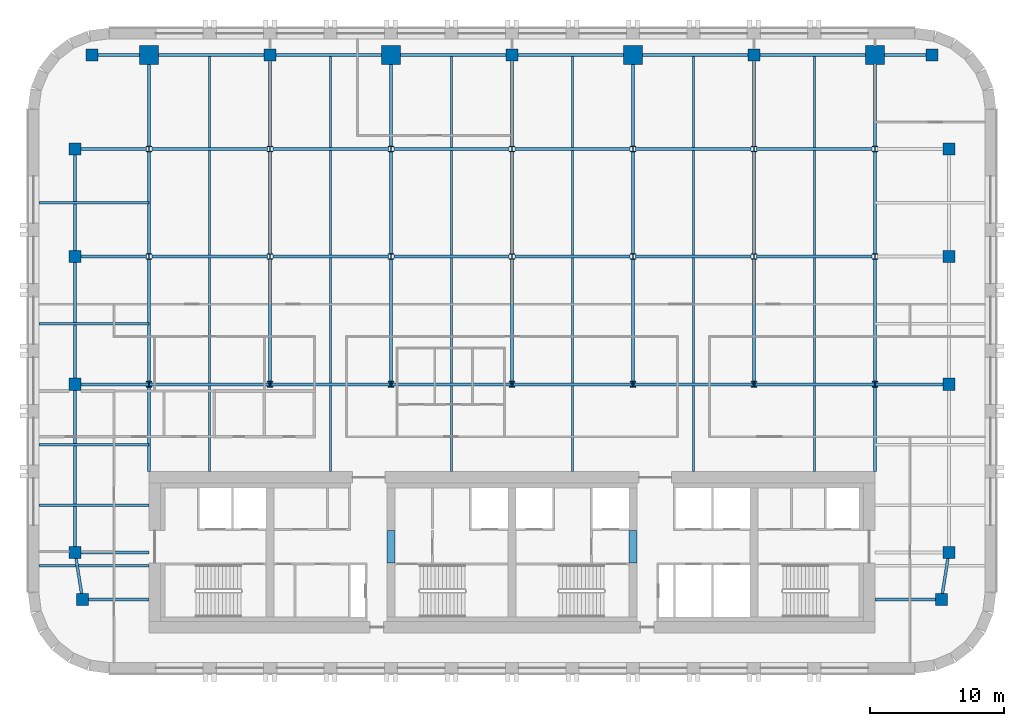
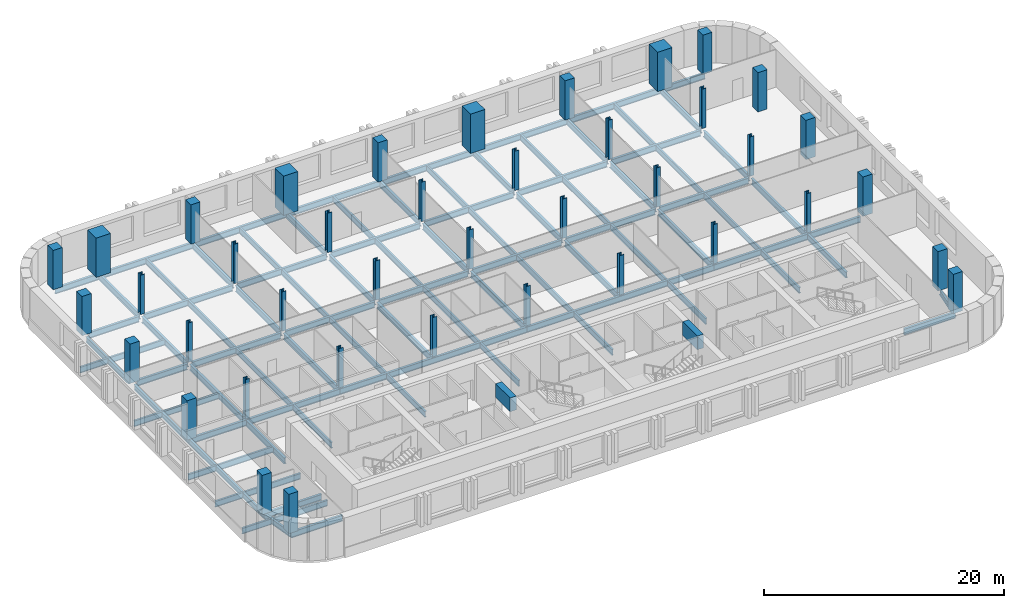
# One storey, part 1 of 10: 64 beams, 40 columns.
"""IFC4 building model written with IfcOpenShell, lengths in metres."""

from ifc_helpers import new_model, si_unit, direction, frame, origin, origin_2d, place, context, subcontext, project, spatial, rectangle, i_section, extrude, material, material_profile, profile_set, type_object, element, save


model = new_model("IFC4")

# Units and contexts
model_context = context("Model", 3, precision=1e-05, world=origin(), true_north=direction((0.0, 1.0)))
body_context = subcontext(model_context, "Body", "Model", "MODEL_VIEW")
ifc_project = project(units=[si_unit("LENGTHUNIT", "METRE"), si_unit("AREAUNIT", "SQUARE_METRE"), si_unit("VOLUMEUNIT", "CUBIC_METRE"), si_unit("PLANEANGLEUNIT", "RADIAN"), si_unit("MASSUNIT", "GRAM", prefix="KILO")], contexts=[model_context])

# Site, building, storey
site_placement = place(None, origin())
site = spatial("IfcSite", under=ifc_project, at=site_placement, CompositionType="ELEMENT")
building_placement = place(site_placement, origin())
building = spatial("IfcBuilding", under=site, at=building_placement, Name="Zellij Exchange Tower", CompositionType="ELEMENT")
storey_placement = place(building_placement, frame((0.0, 0.0, 192.5)))
storey = spatial("IfcBuildingStorey", under=building, at=storey_placement, Name="L44", CompositionType="ELEMENT", Elevation=192.5)

# Columns
ifc_material_1 = material(Name="Concrete C60/75", Category="concrete")
ifc_material_profile_1 = material_profile(ifc_material_1, rectangle(XDim=0.89990234375, YDim=0.89990234375, at=origin_2d()), Name="STR-COLUMN RC900x900 C60/75")
ifc_profile_set_1 = profile_set([ifc_material_profile_1], Name="Concrete C60/75")
column_type_1 = type_object("IfcColumnType", Name="STR-COLUMN RC900x900 C60/75", PredefinedType="COLUMN", material=ifc_profile_set_1)
for number, where, z_axis, x_axis, name in (
    (1, (-31.949951171875, -11.5, 0.0), (0.0, 0.0, 1.0), (1.0, 0.0, 0.0), "C16"),
    (2, (31.949951171875, -11.5, 0.0), (0.0, 0.0, 1.0), (1.0, 0.0, 0.0), "C16"),
    (3, (-32.5, -8.0, 0.0), (0.0, 0.0, 1.0), (1.0, 0.0, 0.0), "C16"),
    (4, (32.5, -8.0, 0.0), (0.0, 0.0, 1.0), (1.0, 0.0, 0.0), "C16"),
    (5, (-32.5, 4.5, 0.0), (0.0, 0.0, 1.0), (1.0, 0.0, 0.0), "C16"),
    (6, (32.5, 4.5, 0.0), (0.0, 0.0, 1.0), (1.0, 0.0, 0.0), "C16"),
    (7, (-32.5, 14.0, 0.0), (0.0, 0.0, 1.0), (1.0, 0.0, 0.0), "C16"),
    (8, (32.5, 14.0, 0.0), (0.0, 0.0, 1.0), (1.0, 0.0, 0.0), "C16"),
    (9, (-32.5, 22.0, 0.0), (0.0, 0.0, 1.0), (1.0, 0.0, 0.0), "C16"),
    (10, (32.5, 22.0, 0.0), (0.0, 0.0, 1.0), (1.0, 0.0, 0.0), "C16"),
    (11, (-31.25, 29.0, 0.0), (0.0, 0.0, 1.0), (1.0, 0.0, 0.0), "C16"),
    (12, (-18.0, 29.0, 0.0), (0.0, 0.0, 1.0), (1.0, 0.0, 0.0), "C16"),
    (13, (0.0, 29.0, 0.0), (0.0, 0.0, 1.0), (1.0, 0.0, 0.0), "C16"),
    (14, (18.0, 29.0, 0.0), (0.0, 0.0, 1.0), (1.0, 0.0, 0.0), "C16"),
    (15, (31.25, 29.0, 0.0), (0.0, 0.0, 1.0), (1.0, 0.0, 0.0), "C16"),
):
    element("IfcColumn", number, at=place(storey_placement, frame(where, z_axis=z_axis, x_axis=x_axis)), inside=storey, type_object=column_type_1, Name=name, PredefinedType="COLUMN", context=body_context, shape_type="SweptSolid", body=[
        extrude(rectangle(XDim=0.89990234375, YDim=0.89990234375, at=origin_2d()), origin(), (0.0, 0.0, 1.0), 4.0),
    ])
ifc_material_2 = material(Name="Structural steel ASTM A913 Gr 65", Category="steel")
ifc_material_profile_2 = material_profile(ifc_material_2, i_section(OverallWidth=0.408935546875, OverallDepth=0.424072265625, WebThickness=0.03271484375, FlangeThickness=0.052490234375, at=origin_2d()), Name="W14x283")
ifc_profile_set_2 = profile_set([ifc_material_profile_2], Name="Structural steel ASTM A913 Gr 65")
column_type_2 = type_object("IfcColumnType", Name="STR-COLUMN W14x283", PredefinedType="COLUMN", material=ifc_profile_set_2)
for number, where, z_axis, x_axis, name in (
    (16, (-27.0, 4.5, 0.0), (0.0, 0.0, 1.0), (1.0, 0.0, 0.0), "C3"),
    (17, (-18.0, 4.5, 0.0), (0.0, 0.0, 1.0), (1.0, 0.0, 0.0), "C3"),
    (18, (-9.0, 4.5, 0.0), (0.0, 0.0, 1.0), (1.0, 0.0, 0.0), "C3"),
    (19, (0.0, 4.5, 0.0), (0.0, 0.0, 1.0), (1.0, 0.0, 0.0), "C3"),
    (20, (9.0, 4.5, 0.0), (0.0, 0.0, 1.0), (1.0, 0.0, 0.0), "C3"),
    (21, (18.0, 4.5, 0.0), (0.0, 0.0, 1.0), (1.0, 0.0, 0.0), "C3"),
    (22, (27.0, 4.5, 0.0), (0.0, 0.0, 1.0), (1.0, 0.0, 0.0), "C3"),
    (23, (-27.0, 14.0, 0.0), (0.0, 0.0, 1.0), (1.0, 0.0, 0.0), "C3"),
    (24, (-18.0, 14.0, 0.0), (0.0, 0.0, 1.0), (1.0, 0.0, 0.0), "C3"),
    (25, (-9.0, 14.0, 0.0), (0.0, 0.0, 1.0), (1.0, 0.0, 0.0), "C3"),
    (26, (0.0, 14.0, 0.0), (0.0, 0.0, 1.0), (1.0, 0.0, 0.0), "C3"),
    (27, (9.0, 14.0, 0.0), (0.0, 0.0, 1.0), (1.0, 0.0, 0.0), "C3"),
    (28, (18.0, 14.0, 0.0), (0.0, 0.0, 1.0), (1.0, 0.0, 0.0), "C3"),
    (29, (27.0, 14.0, 0.0), (0.0, 0.0, 1.0), (1.0, 0.0, 0.0), "C3"),
    (30, (-27.0, 22.0, 0.0), (0.0, 0.0, 1.0), (1.0, 0.0, 0.0), "C3"),
    (31, (-18.0, 22.0, 0.0), (0.0, 0.0, 1.0), (1.0, 0.0, 0.0), "C3"),
    (32, (-9.0, 22.0, 0.0), (0.0, 0.0, 1.0), (1.0, 0.0, 0.0), "C3"),
    (33, (0.0, 22.0, 0.0), (0.0, 0.0, 1.0), (1.0, 0.0, 0.0), "C3"),
    (34, (9.0, 22.0, 0.0), (0.0, 0.0, 1.0), (1.0, 0.0, 0.0), "C3"),
    (35, (18.0, 22.0, 0.0), (0.0, 0.0, 1.0), (1.0, 0.0, 0.0), "C3"),
    (36, (27.0, 22.0, 0.0), (0.0, 0.0, 1.0), (1.0, 0.0, 0.0), "C3"),
):
    element("IfcColumn", number, at=place(storey_placement, frame(where, z_axis=z_axis, x_axis=x_axis)), inside=storey, type_object=column_type_2, Name=name, PredefinedType="COLUMN", context=body_context, shape_type="SweptSolid", body=[
        extrude(i_section(OverallWidth=0.408935546875, OverallDepth=0.424072265625, WebThickness=0.03271484375, FlangeThickness=0.052490234375, at=origin_2d()), origin(), (0.0, 0.0, 1.0), 4.0),
    ])
ifc_material_profile_3 = material_profile(ifc_material_1, rectangle(XDim=1.39990234375, YDim=1.39990234375, at=origin_2d()), Name="STR-MEGA COLUMN RC1400x1400 C60/75")
ifc_profile_set_3 = profile_set([ifc_material_profile_3], Name="Concrete C60/75")
column_type_3 = type_object("IfcColumnType", Name="STR-MEGA COLUMN RC1400x1400 C60/75", PredefinedType="COLUMN", material=ifc_profile_set_3)
for number, where, z_axis, x_axis, name in (
    (37, (-27.0, 29.0, 0.0), (0.0, 0.0, 1.0), (1.0, 0.0, 0.0), "MC3"),
    (38, (-9.0, 29.0, 0.0), (0.0, 0.0, 1.0), (1.0, 0.0, 0.0), "MC3"),
    (39, (9.0, 29.0, 0.0), (0.0, 0.0, 1.0), (1.0, 0.0, 0.0), "MC3"),
    (40, (27.0, 29.0, 0.0), (0.0, 0.0, 1.0), (1.0, 0.0, 0.0), "MC3"),
):
    element("IfcColumn", number, at=place(storey_placement, frame(where, z_axis=z_axis, x_axis=x_axis)), inside=storey, type_object=column_type_3, Name=name, PredefinedType="COLUMN", context=body_context, shape_type="SweptSolid", body=[
        extrude(rectangle(XDim=1.39990234375, YDim=1.39990234375, at=origin_2d()), origin(), (0.0, 0.0, 1.0), 4.0),
    ])

# Beams
ifc_material_profile_4 = material_profile(ifc_material_1, rectangle(XDim=0.60009765625, YDim=1.39990234375, at=origin_2d()), Name="CORE-CB 600x1400 C60/75")
ifc_profile_set_4 = profile_set([ifc_material_profile_4], Name="Concrete C60/75")
beam_type_1 = type_object("IfcBeamType", Name="CORE-CB 600x1400 C60/75", PredefinedType="BEAM", material=ifc_profile_set_4)
for number, where, z_axis, x_axis, name in (
    (41, (-9.0, -8.800048828125, 3.10009765625), (0.0, 1.0, 0.0), (-1.0, 0.0, 0.0), "Core coupling beam x -9 L44"),
    (42, (9.0, -8.800048828125, 3.10009765625), (0.0, 1.0, 0.0), (-1.0, 0.0, 0.0), "Core coupling beam x 9 L44"),
):
    element("IfcBeam", number, at=place(storey_placement, frame(where, z_axis=z_axis, x_axis=x_axis)), inside=storey, type_object=beam_type_1, Name=name, PredefinedType="BEAM", context=body_context, shape_type="SweptSolid", body=[
        extrude(rectangle(XDim=0.60009765625, YDim=1.39990234375, at=origin_2d()), origin(), (0.0, 0.0, 1.0), 2.425048828125),
    ])
ifc_material_3 = material(Name="Structural steel ASTM A992 Gr 50", Category="steel")
ifc_material_profile_5 = material_profile(ifc_material_3, i_section(OverallWidth=0.177978515625, OverallDepth=0.599365234375, WebThickness=0.010009765625, FlangeThickness=0.012939453125, at=origin_2d()), Name="W24x55")
ifc_profile_set_5 = profile_set([ifc_material_profile_5], Name="Structural steel ASTM A992 Gr 50")
beam_type_2 = type_object("IfcBeamType", Name="STR-BEAM W24x55", PredefinedType="BEAM", material=ifc_profile_set_5)
for number, where, z_axis, x_axis, name in (
    (43, (-22.5, -2.0, -0.499755859375), (0.0, 1.0, 0.0), (-1.0, 0.0, 0.0), "B4"),
    (44, (-13.5, -2.0, -0.499755859375), (0.0, 1.0, 0.0), (-1.0, 0.0, 0.0), "B4"),
    (45, (-4.5, -2.0, -0.499755859375), (0.0, 1.0, 0.0), (-1.0, 0.0, 0.0), "B4"),
    (46, (4.5, -2.0, -0.499755859375), (0.0, 1.0, 0.0), (-1.0, 0.0, 0.0), "B4"),
    (47, (13.5, -2.0, -0.499755859375), (0.0, 1.0, 0.0), (-1.0, 0.0, 0.0), "B4"),
    (48, (22.5, -2.0, -0.499755859375), (0.0, 1.0, 0.0), (-1.0, 0.0, 0.0), "B4"),
):
    element("IfcBeam", number, at=place(storey_placement, frame(where, z_axis=z_axis, x_axis=x_axis)), inside=storey, type_object=beam_type_2, Name=name, PredefinedType="BEAM", context=body_context, shape_type="SweptSolid", body=[
        extrude(i_section(OverallWidth=0.177978515625, OverallDepth=0.599365234375, WebThickness=0.010009765625, FlangeThickness=0.012939453125, at=origin_2d()), origin(), (0.0, 0.0, 1.0), 31.1142578125),
    ])
for number, where, z_axis, x_axis, name in (
    (49, (-35.199951171875, -9.0, -0.499755859375), (1.0, 0.0, 0.0), (0.0, 1.0, 0.0), "B4"),
    (50, (-35.199951171875, -4.5, -0.499755859375), (1.0, 0.0, 0.0), (0.0, 1.0, 0.0), "B4"),
    (51, (-35.199951171875, 0.0, -0.499755859375), (1.0, 0.0, 0.0), (0.0, 1.0, 0.0), "B4"),
    (52, (-35.199951171875, 9.0, -0.499755859375), (1.0, 0.0, 0.0), (0.0, 1.0, 0.0), "B4"),
    (53, (-35.199951171875, 18.0, -0.499755859375), (1.0, 0.0, 0.0), (0.0, 1.0, 0.0), "B4"),
):
    element("IfcBeam", number, at=place(storey_placement, frame(where, z_axis=z_axis, x_axis=x_axis)), inside=storey, type_object=beam_type_2, Name=name, PredefinedType="BEAM", context=body_context, shape_type="SweptSolid", body=[
        extrude(i_section(OverallWidth=0.177978515625, OverallDepth=0.599365234375, WebThickness=0.010009765625, FlangeThickness=0.012939453125, at=origin_2d()), origin(), (0.0, 0.0, 1.0), 8.199951171875),
    ])
ifc_material_profile_6 = material_profile(ifc_material_3, i_section(OverallWidth=0.209228515625, OverallDepth=0.533447265625, WebThickness=0.01025390625, FlangeThickness=0.015625, at=origin_2d()), Name="W21x62")
ifc_profile_set_6 = profile_set([ifc_material_profile_6], Name="Structural steel ASTM A992 Gr 50")
beam_type_3 = type_object("IfcBeamType", Name="STR-EDGE GIRDER W21x62", PredefinedType="BEAM", material=ifc_profile_set_6)
beam_1_placement = place(storey_placement, frame((-31.949951171875, -11.5, -0.466796875), z_axis=(-0.155251283593, 0.987875011802, 0.0), x_axis=(-0.987875011802, -0.155251283593, 0.0)))
element("IfcBeam", 54, at=beam_1_placement, inside=storey, type_object=beam_type_3, Name="EB3", PredefinedType="BEAM", context=body_context, shape_type="SweptSolid", body=[
    extrude(i_section(OverallWidth=0.209228515625, OverallDepth=0.533447265625, WebThickness=0.01025390625, FlangeThickness=0.015625, at=origin_2d()), origin(), (0.0, 0.0, 1.0), 3.54296875),
])
beam_2_placement = place(storey_placement, frame((-32.5, -8.0, -0.466796875), z_axis=(0.0, 1.0, 0.0), x_axis=(-1.0, 0.0, 0.0)))
element("IfcBeam", 55, at=beam_2_placement, inside=storey, type_object=beam_type_3, Name="EB3", PredefinedType="BEAM", context=body_context, shape_type="SweptSolid", body=[
    extrude(i_section(OverallWidth=0.209228515625, OverallDepth=0.533447265625, WebThickness=0.01025390625, FlangeThickness=0.015625, at=origin_2d()), origin(), (0.0, 0.0, 1.0), 12.5),
])
beam_3_placement = place(storey_placement, frame((-32.5, 4.5, -0.466796875), z_axis=(0.0, 1.0, 0.0), x_axis=(-1.0, 0.0, 0.0)))
element("IfcBeam", 56, at=beam_3_placement, inside=storey, type_object=beam_type_3, Name="EB3", PredefinedType="BEAM", context=body_context, shape_type="SweptSolid", body=[
    extrude(i_section(OverallWidth=0.209228515625, OverallDepth=0.533447265625, WebThickness=0.01025390625, FlangeThickness=0.015625, at=origin_2d()), origin(), (0.0, 0.0, 1.0), 9.050048828125),
])
beam_4_placement = place(storey_placement, frame((-32.5, 14.449951171875, -0.466796875), z_axis=(0.0, 1.0, 0.0), x_axis=(-1.0, 0.0, 0.0)))
element("IfcBeam", 57, at=beam_4_placement, inside=storey, type_object=beam_type_3, Name="EB3", PredefinedType="BEAM", context=body_context, shape_type="SweptSolid", body=[
    extrude(i_section(OverallWidth=0.209228515625, OverallDepth=0.533447265625, WebThickness=0.01025390625, FlangeThickness=0.015625, at=origin_2d()), origin(), (0.0, 0.0, 1.0), 7.10009765625),
])
beam_5_placement = place(storey_placement, frame((31.949951171875, -11.5, -0.466796875), z_axis=(0.155251283593, 0.987875011802, 0.0), x_axis=(-0.987875011802, 0.155251283593, 0.0)))
element("IfcBeam", 58, at=beam_5_placement, inside=storey, type_object=beam_type_3, Name="EB3", PredefinedType="BEAM", context=body_context, shape_type="SweptSolid", body=[
    extrude(i_section(OverallWidth=0.209228515625, OverallDepth=0.533447265625, WebThickness=0.01025390625, FlangeThickness=0.015625, at=origin_2d()), origin(), (0.0, 0.0, 1.0), 3.54296875),
])
ifc_material_profile_7 = material_profile(ifc_material_3, i_section(OverallWidth=0.228271484375, OverallDepth=0.607177734375, WebThickness=0.01123046875, FlangeThickness=0.017333984375, at=origin_2d()), Name="W24x76")
ifc_profile_set_7 = profile_set([ifc_material_profile_7], Name="Structural steel ASTM A992 Gr 50")
beam_type_4 = type_object("IfcBeamType", Name="STR-GIRDER W24x76", PredefinedType="BEAM", material=ifc_profile_set_7)
for number, where, z_axis, x_axis, name in (
    (59, (-31.949951171875, -11.5, -0.50341796875), (1.0, 0.0, 0.0), (0.0, 1.0, 0.0), "G2"),
    (60, (27.0, -11.5, -0.50341796875), (1.0, 0.0, 0.0), (0.0, 1.0, 0.0), "G2"),
):
    element("IfcBeam", number, at=place(storey_placement, frame(where, z_axis=z_axis, x_axis=x_axis)), inside=storey, type_object=beam_type_4, Name=name, PredefinedType="BEAM", context=body_context, shape_type="SweptSolid", body=[
        extrude(i_section(OverallWidth=0.228271484375, OverallDepth=0.607177734375, WebThickness=0.01123046875, FlangeThickness=0.017333984375, at=origin_2d()), origin(), (0.0, 0.0, 1.0), 4.949951171875),
    ])
beam_6_placement = place(storey_placement, frame((-32.5, -8.0, -0.50341796875), z_axis=(1.0, 0.0, 0.0), x_axis=(0.0, 1.0, 0.0)))
element("IfcBeam", 61, at=beam_6_placement, inside=storey, type_object=beam_type_4, Name="G2", PredefinedType="BEAM", context=body_context, shape_type="SweptSolid", body=[
    extrude(i_section(OverallWidth=0.228271484375, OverallDepth=0.607177734375, WebThickness=0.01123046875, FlangeThickness=0.017333984375, at=origin_2d()), origin(), (0.0, 0.0, 1.0), 5.5),
])
beam_7_placement = place(storey_placement, frame((-32.5, 4.5, -0.50341796875), z_axis=(1.0, 0.0, 0.0), x_axis=(0.0, 1.0, 0.0)))
element("IfcBeam", 62, at=beam_7_placement, inside=storey, type_object=beam_type_4, Name="G2", PredefinedType="BEAM", context=body_context, shape_type="SweptSolid", body=[
    extrude(i_section(OverallWidth=0.228271484375, OverallDepth=0.607177734375, WebThickness=0.01123046875, FlangeThickness=0.017333984375, at=origin_2d()), origin(), (0.0, 0.0, 1.0), 14.5),
])
for number, where, z_axis, x_axis, name in (
    (63, (-18.0, 4.5, -0.50341796875), (1.0, 0.0, 0.0), (0.0, 1.0, 0.0), "G2"),
    (64, (0.0, 4.5, -0.50341796875), (1.0, 0.0, 0.0), (0.0, 1.0, 0.0), "G2"),
):
    element("IfcBeam", number, at=place(storey_placement, frame(where, z_axis=z_axis, x_axis=x_axis)), inside=storey, type_object=beam_type_4, Name=name, PredefinedType="BEAM", context=body_context, shape_type="SweptSolid", body=[
        extrude(i_section(OverallWidth=0.228271484375, OverallDepth=0.607177734375, WebThickness=0.01123046875, FlangeThickness=0.017333984375, at=origin_2d()), origin(), (0.0, 0.0, 1.0), 18.0),
    ])
beam_8_placement = place(storey_placement, frame((18.0, 4.5, -0.50341796875), z_axis=(1.0, 0.0, 0.0), x_axis=(0.0, 1.0, 0.0)))
element("IfcBeam", 65, at=beam_8_placement, inside=storey, type_object=beam_type_4, Name="G2", PredefinedType="BEAM", context=body_context, shape_type="SweptSolid", body=[
    extrude(i_section(OverallWidth=0.228271484375, OverallDepth=0.607177734375, WebThickness=0.01123046875, FlangeThickness=0.017333984375, at=origin_2d()), origin(), (0.0, 0.0, 1.0), 14.050048828125),
])
beam_9_placement = place(storey_placement, frame((-32.050048828125, 14.0, -0.50341796875), z_axis=(1.0, 0.0, 0.0), x_axis=(0.0, 1.0, 0.0)))
element("IfcBeam", 66, at=beam_9_placement, inside=storey, type_object=beam_type_4, Name="G2", PredefinedType="BEAM", context=body_context, shape_type="SweptSolid", body=[
    extrude(i_section(OverallWidth=0.228271484375, OverallDepth=0.607177734375, WebThickness=0.01123046875, FlangeThickness=0.017333984375, at=origin_2d()), origin(), (0.0, 0.0, 1.0), 4.845458984375),
])
for number, where, z_axis, x_axis, name in (
    (67, (-26.79541015625, 14.0, -0.50341796875), (1.0, 0.0, 0.0), (0.0, 1.0, 0.0), "G2"),
    (68, (-17.79541015625, 14.0, -0.50341796875), (1.0, 0.0, 0.0), (0.0, 1.0, 0.0), "G2"),
    (69, (-8.79541015625, 14.0, -0.50341796875), (1.0, 0.0, 0.0), (0.0, 1.0, 0.0), "G2"),
    (70, (0.20458984375, 14.0, -0.50341796875), (1.0, 0.0, 0.0), (0.0, 1.0, 0.0), "G2"),
    (71, (9.20458984375, 14.0, -0.50341796875), (1.0, 0.0, 0.0), (0.0, 1.0, 0.0), "G2"),
    (72, (18.20458984375, 14.0, -0.50341796875), (1.0, 0.0, 0.0), (0.0, 1.0, 0.0), "G2"),
):
    element("IfcBeam", number, at=place(storey_placement, frame(where, z_axis=z_axis, x_axis=x_axis)), inside=storey, type_object=beam_type_4, Name=name, PredefinedType="BEAM", context=body_context, shape_type="SweptSolid", body=[
        extrude(i_section(OverallWidth=0.228271484375, OverallDepth=0.607177734375, WebThickness=0.01123046875, FlangeThickness=0.017333984375, at=origin_2d()), origin(), (0.0, 0.0, 1.0), 8.5908203125),
    ])
beam_10_placement = place(storey_placement, frame((-32.050048828125, 22.0, -0.50341796875), z_axis=(1.0, 0.0, 0.0), x_axis=(0.0, 1.0, 0.0)))
element("IfcBeam", 73, at=beam_10_placement, inside=storey, type_object=beam_type_4, Name="G2", PredefinedType="BEAM", context=body_context, shape_type="SweptSolid", body=[
    extrude(i_section(OverallWidth=0.228271484375, OverallDepth=0.607177734375, WebThickness=0.01123046875, FlangeThickness=0.017333984375, at=origin_2d()), origin(), (0.0, 0.0, 1.0), 4.845458984375),
])
for number, where, z_axis, x_axis, name in (
    (74, (-26.79541015625, 22.0, -0.50341796875), (1.0, 0.0, 0.0), (0.0, 1.0, 0.0), "G2"),
    (75, (-17.79541015625, 22.0, -0.50341796875), (1.0, 0.0, 0.0), (0.0, 1.0, 0.0), "G2"),
    (76, (-8.79541015625, 22.0, -0.50341796875), (1.0, 0.0, 0.0), (0.0, 1.0, 0.0), "G2"),
    (77, (0.20458984375, 22.0, -0.50341796875), (1.0, 0.0, 0.0), (0.0, 1.0, 0.0), "G2"),
    (78, (9.20458984375, 22.0, -0.50341796875), (1.0, 0.0, 0.0), (0.0, 1.0, 0.0), "G2"),
    (79, (18.20458984375, 22.0, -0.50341796875), (1.0, 0.0, 0.0), (0.0, 1.0, 0.0), "G2"),
):
    element("IfcBeam", number, at=place(storey_placement, frame(where, z_axis=z_axis, x_axis=x_axis)), inside=storey, type_object=beam_type_4, Name=name, PredefinedType="BEAM", context=body_context, shape_type="SweptSolid", body=[
        extrude(i_section(OverallWidth=0.228271484375, OverallDepth=0.607177734375, WebThickness=0.01123046875, FlangeThickness=0.017333984375, at=origin_2d()), origin(), (0.0, 0.0, 1.0), 8.5908203125),
    ])
beam_11_placement = place(storey_placement, frame((-31.25, 29.0, -0.50341796875), z_axis=(1.0, 0.0, 0.0), x_axis=(0.0, 1.0, 0.0)))
element("IfcBeam", 80, at=beam_11_placement, inside=storey, type_object=beam_type_4, Name="G2", PredefinedType="BEAM", context=body_context, shape_type="SweptSolid", body=[
    extrude(i_section(OverallWidth=0.228271484375, OverallDepth=0.607177734375, WebThickness=0.01123046875, FlangeThickness=0.017333984375, at=origin_2d()), origin(), (0.0, 0.0, 1.0), 13.25),
])
for number, where, z_axis, x_axis, name in (
    (81, (-18.0, 29.0, -0.50341796875), (1.0, 0.0, 0.0), (0.0, 1.0, 0.0), "G2"),
    (82, (0.0, 29.0, -0.50341796875), (1.0, 0.0, 0.0), (0.0, 1.0, 0.0), "G2"),
):
    element("IfcBeam", number, at=place(storey_placement, frame(where, z_axis=z_axis, x_axis=x_axis)), inside=storey, type_object=beam_type_4, Name=name, PredefinedType="BEAM", context=body_context, shape_type="SweptSolid", body=[
        extrude(i_section(OverallWidth=0.228271484375, OverallDepth=0.607177734375, WebThickness=0.01123046875, FlangeThickness=0.017333984375, at=origin_2d()), origin(), (0.0, 0.0, 1.0), 18.0),
    ])
beam_12_placement = place(storey_placement, frame((18.0, 29.0, -0.50341796875), z_axis=(1.0, 0.0, 0.0), x_axis=(0.0, 1.0, 0.0)))
element("IfcBeam", 83, at=beam_12_placement, inside=storey, type_object=beam_type_4, Name="G2", PredefinedType="BEAM", context=body_context, shape_type="SweptSolid", body=[
    extrude(i_section(OverallWidth=0.228271484375, OverallDepth=0.607177734375, WebThickness=0.01123046875, FlangeThickness=0.017333984375, at=origin_2d()), origin(), (0.0, 0.0, 1.0), 13.25),
])
beam_13_placement = place(storey_placement, frame((-27.0, -2.0, -0.50341796875), z_axis=(0.0, 1.0, 0.0), x_axis=(-1.0, 0.0, 0.0)))
element("IfcBeam", 84, at=beam_13_placement, inside=storey, type_object=beam_type_4, Name="G2", PredefinedType="BEAM", context=body_context, shape_type="SweptSolid", body=[
    extrude(i_section(OverallWidth=0.228271484375, OverallDepth=0.607177734375, WebThickness=0.01123046875, FlangeThickness=0.017333984375, at=origin_2d()), origin(), (0.0, 0.0, 1.0), 15.787841796875),
])
beam_14_placement = place(storey_placement, frame((-27.0, 14.212158203125, -0.50341796875), z_axis=(0.0, 1.0, 0.0), x_axis=(-1.0, 0.0, 0.0)))
element("IfcBeam", 85, at=beam_14_placement, inside=storey, type_object=beam_type_4, Name="G2", PredefinedType="BEAM", context=body_context, shape_type="SweptSolid", body=[
    extrude(i_section(OverallWidth=0.228271484375, OverallDepth=0.607177734375, WebThickness=0.01123046875, FlangeThickness=0.017333984375, at=origin_2d()), origin(), (0.0, 0.0, 1.0), 7.57568359375),
])
beam_15_placement = place(storey_placement, frame((-27.0, 22.212158203125, -0.50341796875), z_axis=(0.0, 1.0, 0.0), x_axis=(-1.0, 0.0, 0.0)))
element("IfcBeam", 86, at=beam_15_placement, inside=storey, type_object=beam_type_4, Name="G2", PredefinedType="BEAM", context=body_context, shape_type="SweptSolid", body=[
    extrude(i_section(OverallWidth=0.228271484375, OverallDepth=0.607177734375, WebThickness=0.01123046875, FlangeThickness=0.017333984375, at=origin_2d()), origin(), (0.0, 0.0, 1.0), 6.787841796875),
])
beam_16_placement = place(storey_placement, frame((-18.0, 4.5, -0.50341796875), z_axis=(0.0, 1.0, 0.0), x_axis=(-1.0, 0.0, 0.0)))
element("IfcBeam", 87, at=beam_16_placement, inside=storey, type_object=beam_type_4, Name="G2", PredefinedType="BEAM", context=body_context, shape_type="SweptSolid", body=[
    extrude(i_section(OverallWidth=0.228271484375, OverallDepth=0.607177734375, WebThickness=0.01123046875, FlangeThickness=0.017333984375, at=origin_2d()), origin(), (0.0, 0.0, 1.0), 9.287841796875),
])
beam_17_placement = place(storey_placement, frame((-18.0, 14.212158203125, -0.50341796875), z_axis=(0.0, 1.0, 0.0), x_axis=(-1.0, 0.0, 0.0)))
element("IfcBeam", 88, at=beam_17_placement, inside=storey, type_object=beam_type_4, Name="G2", PredefinedType="BEAM", context=body_context, shape_type="SweptSolid", body=[
    extrude(i_section(OverallWidth=0.228271484375, OverallDepth=0.607177734375, WebThickness=0.01123046875, FlangeThickness=0.017333984375, at=origin_2d()), origin(), (0.0, 0.0, 1.0), 7.57568359375),
])
beam_18_placement = place(storey_placement, frame((-18.0, 22.212158203125, -0.50341796875), z_axis=(0.0, 1.0, 0.0), x_axis=(-1.0, 0.0, 0.0)))
element("IfcBeam", 89, at=beam_18_placement, inside=storey, type_object=beam_type_4, Name="G2", PredefinedType="BEAM", context=body_context, shape_type="SweptSolid", body=[
    extrude(i_section(OverallWidth=0.228271484375, OverallDepth=0.607177734375, WebThickness=0.01123046875, FlangeThickness=0.017333984375, at=origin_2d()), origin(), (0.0, 0.0, 1.0), 6.787841796875),
])
beam_19_placement = place(storey_placement, frame((-9.0, 4.5, -0.50341796875), z_axis=(0.0, 1.0, 0.0), x_axis=(-1.0, 0.0, 0.0)))
element("IfcBeam", 90, at=beam_19_placement, inside=storey, type_object=beam_type_4, Name="G2", PredefinedType="BEAM", context=body_context, shape_type="SweptSolid", body=[
    extrude(i_section(OverallWidth=0.228271484375, OverallDepth=0.607177734375, WebThickness=0.01123046875, FlangeThickness=0.017333984375, at=origin_2d()), origin(), (0.0, 0.0, 1.0), 9.287841796875),
])
beam_20_placement = place(storey_placement, frame((-9.0, 14.212158203125, -0.50341796875), z_axis=(0.0, 1.0, 0.0), x_axis=(-1.0, 0.0, 0.0)))
element("IfcBeam", 91, at=beam_20_placement, inside=storey, type_object=beam_type_4, Name="G2", PredefinedType="BEAM", context=body_context, shape_type="SweptSolid", body=[
    extrude(i_section(OverallWidth=0.228271484375, OverallDepth=0.607177734375, WebThickness=0.01123046875, FlangeThickness=0.017333984375, at=origin_2d()), origin(), (0.0, 0.0, 1.0), 7.57568359375),
])
beam_21_placement = place(storey_placement, frame((-9.0, 22.212158203125, -0.50341796875), z_axis=(0.0, 1.0, 0.0), x_axis=(-1.0, 0.0, 0.0)))
element("IfcBeam", 92, at=beam_21_placement, inside=storey, type_object=beam_type_4, Name="G2", PredefinedType="BEAM", context=body_context, shape_type="SweptSolid", body=[
    extrude(i_section(OverallWidth=0.228271484375, OverallDepth=0.607177734375, WebThickness=0.01123046875, FlangeThickness=0.017333984375, at=origin_2d()), origin(), (0.0, 0.0, 1.0), 6.787841796875),
])
beam_22_placement = place(storey_placement, frame((0.0, 4.5, -0.50341796875), z_axis=(0.0, 1.0, 0.0), x_axis=(-1.0, 0.0, 0.0)))
element("IfcBeam", 93, at=beam_22_placement, inside=storey, type_object=beam_type_4, Name="G2", PredefinedType="BEAM", context=body_context, shape_type="SweptSolid", body=[
    extrude(i_section(OverallWidth=0.228271484375, OverallDepth=0.607177734375, WebThickness=0.01123046875, FlangeThickness=0.017333984375, at=origin_2d()), origin(), (0.0, 0.0, 1.0), 9.287841796875),
])
beam_23_placement = place(storey_placement, frame((0.0, 14.212158203125, -0.50341796875), z_axis=(0.0, 1.0, 0.0), x_axis=(-1.0, 0.0, 0.0)))
element("IfcBeam", 94, at=beam_23_placement, inside=storey, type_object=beam_type_4, Name="G2", PredefinedType="BEAM", context=body_context, shape_type="SweptSolid", body=[
    extrude(i_section(OverallWidth=0.228271484375, OverallDepth=0.607177734375, WebThickness=0.01123046875, FlangeThickness=0.017333984375, at=origin_2d()), origin(), (0.0, 0.0, 1.0), 7.57568359375),
])
beam_24_placement = place(storey_placement, frame((0.0, 22.212158203125, -0.50341796875), z_axis=(0.0, 1.0, 0.0), x_axis=(-1.0, 0.0, 0.0)))
element("IfcBeam", 95, at=beam_24_placement, inside=storey, type_object=beam_type_4, Name="G2", PredefinedType="BEAM", context=body_context, shape_type="SweptSolid", body=[
    extrude(i_section(OverallWidth=0.228271484375, OverallDepth=0.607177734375, WebThickness=0.01123046875, FlangeThickness=0.017333984375, at=origin_2d()), origin(), (0.0, 0.0, 1.0), 6.787841796875),
])
beam_25_placement = place(storey_placement, frame((9.0, 4.5, -0.50341796875), z_axis=(0.0, 1.0, 0.0), x_axis=(-1.0, 0.0, 0.0)))
element("IfcBeam", 96, at=beam_25_placement, inside=storey, type_object=beam_type_4, Name="G2", PredefinedType="BEAM", context=body_context, shape_type="SweptSolid", body=[
    extrude(i_section(OverallWidth=0.228271484375, OverallDepth=0.607177734375, WebThickness=0.01123046875, FlangeThickness=0.017333984375, at=origin_2d()), origin(), (0.0, 0.0, 1.0), 9.287841796875),
])
beam_26_placement = place(storey_placement, frame((9.0, 14.212158203125, -0.50341796875), z_axis=(0.0, 1.0, 0.0), x_axis=(-1.0, 0.0, 0.0)))
element("IfcBeam", 97, at=beam_26_placement, inside=storey, type_object=beam_type_4, Name="G2", PredefinedType="BEAM", context=body_context, shape_type="SweptSolid", body=[
    extrude(i_section(OverallWidth=0.228271484375, OverallDepth=0.607177734375, WebThickness=0.01123046875, FlangeThickness=0.017333984375, at=origin_2d()), origin(), (0.0, 0.0, 1.0), 7.57568359375),
])
beam_27_placement = place(storey_placement, frame((9.0, 22.212158203125, -0.50341796875), z_axis=(0.0, 1.0, 0.0), x_axis=(-1.0, 0.0, 0.0)))
element("IfcBeam", 98, at=beam_27_placement, inside=storey, type_object=beam_type_4, Name="G2", PredefinedType="BEAM", context=body_context, shape_type="SweptSolid", body=[
    extrude(i_section(OverallWidth=0.228271484375, OverallDepth=0.607177734375, WebThickness=0.01123046875, FlangeThickness=0.017333984375, at=origin_2d()), origin(), (0.0, 0.0, 1.0), 6.787841796875),
])
beam_28_placement = place(storey_placement, frame((18.0, 4.5, -0.50341796875), z_axis=(0.0, 1.0, 0.0), x_axis=(-1.0, 0.0, 0.0)))
element("IfcBeam", 99, at=beam_28_placement, inside=storey, type_object=beam_type_4, Name="G2", PredefinedType="BEAM", context=body_context, shape_type="SweptSolid", body=[
    extrude(i_section(OverallWidth=0.228271484375, OverallDepth=0.607177734375, WebThickness=0.01123046875, FlangeThickness=0.017333984375, at=origin_2d()), origin(), (0.0, 0.0, 1.0), 9.287841796875),
])
beam_29_placement = place(storey_placement, frame((18.0, 14.212158203125, -0.50341796875), z_axis=(0.0, 1.0, 0.0), x_axis=(-1.0, 0.0, 0.0)))
element("IfcBeam", 100, at=beam_29_placement, inside=storey, type_object=beam_type_4, Name="G2", PredefinedType="BEAM", context=body_context, shape_type="SweptSolid", body=[
    extrude(i_section(OverallWidth=0.228271484375, OverallDepth=0.607177734375, WebThickness=0.01123046875, FlangeThickness=0.017333984375, at=origin_2d()), origin(), (0.0, 0.0, 1.0), 7.57568359375),
])
beam_30_placement = place(storey_placement, frame((18.0, 22.212158203125, -0.50341796875), z_axis=(0.0, 1.0, 0.0), x_axis=(-1.0, 0.0, 0.0)))
element("IfcBeam", 101, at=beam_30_placement, inside=storey, type_object=beam_type_4, Name="G2", PredefinedType="BEAM", context=body_context, shape_type="SweptSolid", body=[
    extrude(i_section(OverallWidth=0.228271484375, OverallDepth=0.607177734375, WebThickness=0.01123046875, FlangeThickness=0.017333984375, at=origin_2d()), origin(), (0.0, 0.0, 1.0), 6.787841796875),
])
beam_31_placement = place(storey_placement, frame((27.0, -2.0, -0.50341796875), z_axis=(0.0, 1.0, 0.0), x_axis=(-1.0, 0.0, 0.0)))
element("IfcBeam", 102, at=beam_31_placement, inside=storey, type_object=beam_type_4, Name="G2", PredefinedType="BEAM", context=body_context, shape_type="SweptSolid", body=[
    extrude(i_section(OverallWidth=0.228271484375, OverallDepth=0.607177734375, WebThickness=0.01123046875, FlangeThickness=0.017333984375, at=origin_2d()), origin(), (0.0, 0.0, 1.0), 15.787841796875),
])
beam_32_placement = place(storey_placement, frame((27.0, 14.212158203125, -0.50341796875), z_axis=(0.0, 1.0, 0.0), x_axis=(-1.0, 0.0, 0.0)))
element("IfcBeam", 103, at=beam_32_placement, inside=storey, type_object=beam_type_4, Name="G2", PredefinedType="BEAM", context=body_context, shape_type="SweptSolid", body=[
    extrude(i_section(OverallWidth=0.228271484375, OverallDepth=0.607177734375, WebThickness=0.01123046875, FlangeThickness=0.017333984375, at=origin_2d()), origin(), (0.0, 0.0, 1.0), 7.57568359375),
])
beam_33_placement = place(storey_placement, frame((27.0, 22.212158203125, -0.50341796875), z_axis=(0.0, 1.0, 0.0), x_axis=(-1.0, 0.0, 0.0)))
element("IfcBeam", 104, at=beam_33_placement, inside=storey, type_object=beam_type_4, Name="G2", PredefinedType="BEAM", context=body_context, shape_type="SweptSolid", body=[
    extrude(i_section(OverallWidth=0.228271484375, OverallDepth=0.607177734375, WebThickness=0.01123046875, FlangeThickness=0.017333984375, at=origin_2d()), origin(), (0.0, 0.0, 1.0), 6.787841796875),
])

save(model, "model.ifc")
